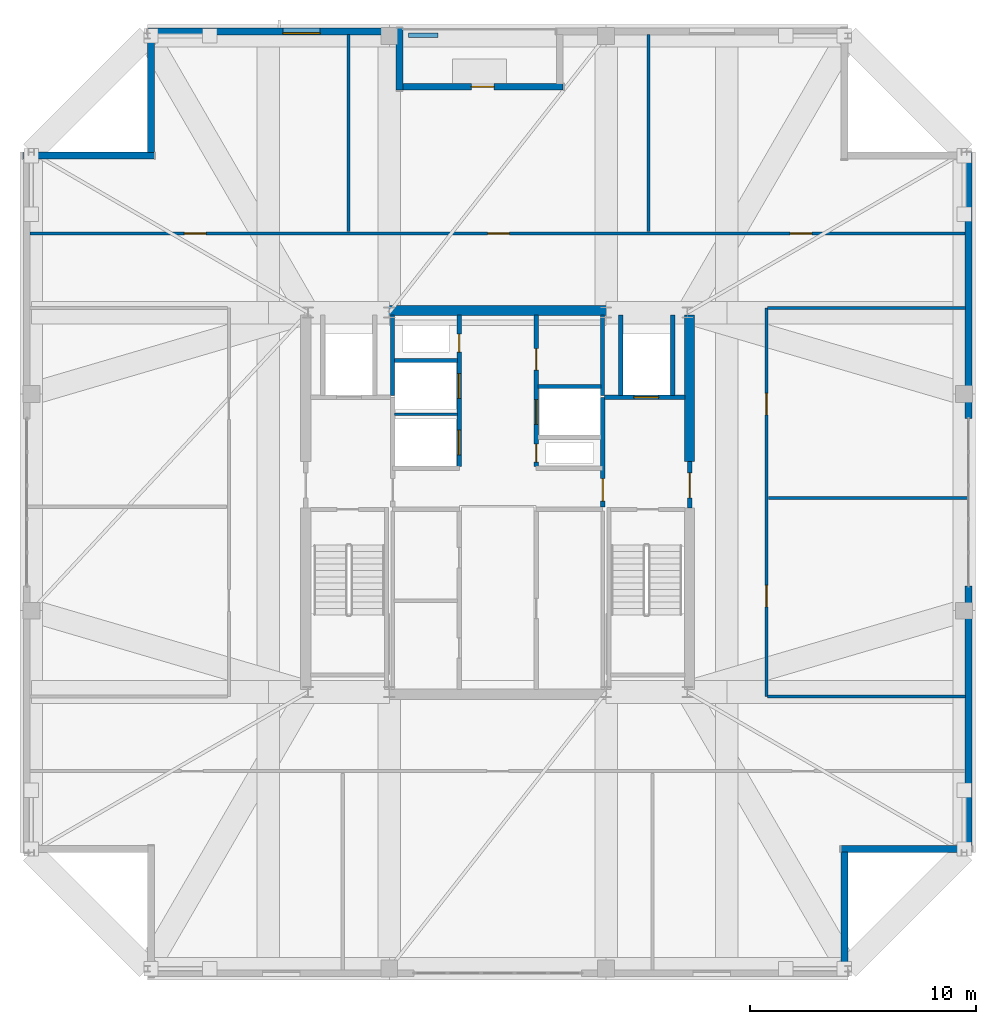
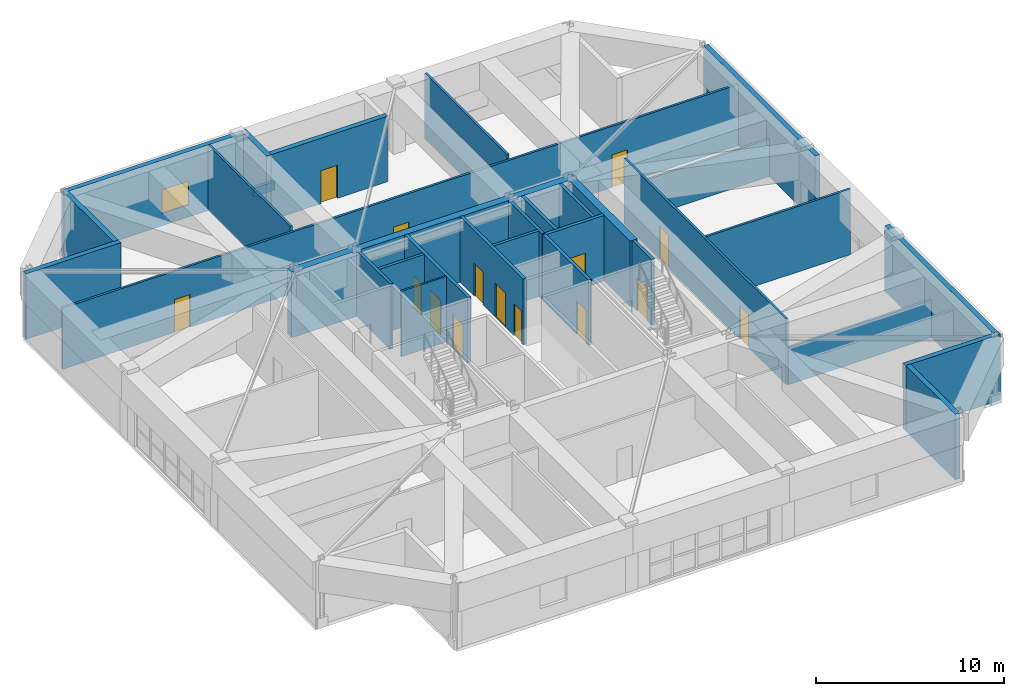
# One storey, part 13 of 17: 31 walls, 15 doors, 1 window, 16 openings.
"""IFC4 building model written with IfcOpenShell, lengths in metres."""

from ifc_helpers import new_model, si_unit, direction, frame, frame_2d, origin, place, context, subcontext, project, spatial, rectangle, extrude, material, layer, layer_set, type_object, element, fill, save


model = new_model("IFC4")

# Units and contexts
model_context = context("Model", 3, precision=1e-05, world=origin(), true_north=direction((0.0, 1.0)))
body_context = subcontext(model_context, "Body", "Model", "MODEL_VIEW")
ifc_project = project(units=[si_unit("LENGTHUNIT", "METRE"), si_unit("AREAUNIT", "SQUARE_METRE"), si_unit("VOLUMEUNIT", "CUBIC_METRE"), si_unit("PLANEANGLEUNIT", "RADIAN"), si_unit("MASSUNIT", "GRAM", prefix="KILO")], contexts=[model_context])

# Site, building, storey
site_placement = place(None, origin())
site = spatial("IfcSite", under=ifc_project, at=site_placement, CompositionType="ELEMENT")
building_placement = place(site_placement, origin())
building = spatial("IfcBuilding", under=site, at=building_placement, Name="Cairnveth Concourse Tower", CompositionType="ELEMENT")
storey_placement = place(building_placement, frame((0.0, 0.0, 320.0)))
storey = spatial("IfcBuildingStorey", under=building, at=storey_placement, Name="L88", CompositionType="ELEMENT", Elevation=320.0)

# Walls
ifc_material_1 = material(Name="Concrete N65 (65 MPa)", Category="concrete")
ifc_layer_1 = layer(ifc_material_1, 0.449951171875)
ifc_layer_set_1 = layer_set([ifc_layer_1], Name="Concrete N65 (65 MPa)")
wall_type_1 = type_object("IfcWallType", Name="CORE SHEAR WALL 450", PredefinedType="SHEAR", material=ifc_layer_set_1)
wall_1_placement = place(storey_placement, frame((43.27490234375, 47.5, 0.0), z_axis=(0.0, 0.0, 1.0), x_axis=(1.0, 0.0, 0.0)))
element("IfcWall", 1, at=wall_1_placement, inside=storey, type_object=wall_type_1, Name="Core North Shear Wall L88", PredefinedType="SHEAR", context=body_context, shape_type="SweptSolid", body=[
    extrude(rectangle(XDim=17.4501953125, YDim=0.449951171875, at=frame_2d((8.72509765625, 0.0))), origin(), (0.0, 0.0, 1.0), 4.25),
])
wall_2_placement = place(storey_placement, frame((60.5, 40.800048828125, 0.0), z_axis=(0.0, 0.0, 1.0), x_axis=(0.0, 1.0, 0.0)))
element("IfcWall", 2, at=wall_2_placement, inside=storey, type_object=wall_type_1, Name="Core East Shear Wall N L88", PredefinedType="SHEAR", context=body_context, shape_type="SweptSolid", body=[
    extrude(rectangle(XDim=6.48486328125, YDim=0.449951171875, at=frame_2d((3.242431640625, 0.0))), origin(), (0.0, 0.0, 1.0), 4.25),
])
ifc_material_2 = material(Name="Concrete N50 (50 MPa)", Category="concrete")
ifc_layer_2 = layer(ifc_material_2, 0.179931640625)
ifc_layer_set_2 = layer_set([ifc_layer_2], Name="Concrete N50 (50 MPa)")
wall_type_2 = type_object("IfcWallType", Name="FIRE SHAFT WALL 180", PredefinedType="SOLIDWALL", material=ifc_layer_set_2)
wall_3_placement = place(storey_placement, frame((47.35009765625, 43.735107421875, 0.0), z_axis=(0.0, 0.0, 1.0), x_axis=(0.0, 1.0, 0.0)))
element("IfcWall", 3, at=wall_3_placement, inside=storey, type_object=wall_type_2, Name="Interior Wall IW-L88-028", PredefinedType="SOLIDWALL", context=body_context, shape_type="SweptSolid", body=[
    extrude(rectangle(XDim=3.554931640625, YDim=0.179931640625, at=frame_2d((1.77734375, 0.0))), origin(), (0.0, 0.0, 1.0), 4.25),
])
wall_4_placement = place(storey_placement, frame((47.425048828125, 45.280029296875, 0.0), z_axis=(0.0, 0.0, 1.0), x_axis=(1.0, 0.0, 0.0)))
element("IfcWall", 4, at=wall_4_placement, inside=storey, type_object=wall_type_2, Name="Interior Wall IW-L88-030", PredefinedType="SOLIDWALL", context=body_context, shape_type="SweptSolid", body=[
    extrude(rectangle(XDim=2.7900390625, YDim=0.179931640625, at=frame_2d((1.39501953125, 0.0))), origin(), (0.0, 0.0, 1.0), 4.25),
])
wall_5_placement = place(storey_placement, frame((56.64990234375, 43.735107421875, 0.0), z_axis=(0.0, 0.0, 1.0), x_axis=(0.0, 1.0, 0.0)))
element("IfcWall", 5, at=wall_5_placement, inside=storey, type_object=wall_type_2, Name="Interior Wall IW-L88-031", PredefinedType="SOLIDWALL", context=body_context, shape_type="SweptSolid", body=[
    extrude(rectangle(XDim=3.554931640625, YDim=0.179931640625, at=frame_2d((1.77734375, 0.0))), origin(), (0.0, 0.0, 1.0), 4.25),
])
wall_6_placement = place(storey_placement, frame((53.784912109375, 44.1201171875, 0.0), z_axis=(0.0, 0.0, 1.0), x_axis=(1.0, 0.0, 0.0)))
element("IfcWall", 6, at=wall_6_placement, inside=storey, type_object=wall_type_2, Name="Interior Wall IW-L88-033", PredefinedType="SOLIDWALL", context=body_context, shape_type="SweptSolid", body=[
    extrude(rectangle(XDim=2.7900390625, YDim=0.179931640625, at=frame_2d((1.39501953125, 0.0))), origin(), (0.0, 0.0, 1.0), 4.25),
])

# Wall, openings, doors
ifc_layer_3 = layer(ifc_material_2, 0.199951171875)
ifc_layer_set_3 = layer_set([ifc_layer_3], Name="Concrete N50 (50 MPa)")
wall_type_3 = type_object("IfcWallType", Name="FIRE SHAFT WALL 200", PredefinedType="SOLIDWALL", material=ifc_layer_set_3)
wall_7_placement = place(storey_placement, frame((50.300048828125, 40.5849609375, 0.0), z_axis=(0.0, 0.0, 1.0), x_axis=(0.0, 1.0, 0.0)))
wall_7 = element("IfcWall", 7, at=wall_7_placement, inside=storey, type_object=wall_type_3, Name="Interior Wall IW-L88-013", PredefinedType="SOLIDWALL", context=body_context, shape_type="SweptSolid", body=[
    extrude(rectangle(XDim=6.705078125, YDim=0.199951171875, at=frame_2d((3.3525390625, 0.0))), origin(), (0.0, 0.0, 1.0), 4.25),
])
opening_1_placement = place(wall_7_placement, frame((0.514892578125, 0.0, 0.0)))
opening_1 = element("IfcOpeningElement", 8, at=opening_1_placement, cuts=wall_7, Name="Opening LD-1", PredefinedType="OPENING", context=body_context, shape_type="SweptSolid", body=[
    extrude(rectangle(XDim=1.10009765625, YDim=2.199951171875, at=frame_2d((0.550048828125, 1.10009765625))), frame((0.0, 0.10986328125, 0.0), z_axis=(0.0, -1.0, 0.0), x_axis=(1.0, 0.0, 0.0)), (0.0, 0.0, 1.0), 0.219970703125),
])
opening_2_placement = place(wall_7_placement, frame((3.014892578125, 0.0, 0.0)))
opening_2 = element("IfcOpeningElement", 9, at=opening_2_placement, cuts=wall_7, Name="Opening LD-1", PredefinedType="OPENING", context=body_context, shape_type="SweptSolid", body=[
    extrude(rectangle(XDim=1.10009765625, YDim=2.199951171875, at=frame_2d((0.550048828125, 1.10009765625))), frame((0.0, 0.10986328125, 0.0), z_axis=(0.0, -1.0, 0.0), x_axis=(1.0, 0.0, 0.0)), (0.0, 0.0, 1.0), 0.219970703125),
])
opening_3_placement = place(wall_7_placement, frame((5.06494140625, 0.0, 0.0)))
opening_3 = element("IfcOpeningElement", 10, at=opening_3_placement, cuts=wall_7, Name="Opening ID24", PredefinedType="OPENING", context=body_context, shape_type="SweptSolid", body=[
    extrude(rectangle(XDim=0.800048828125, YDim=2.080078125, at=frame_2d((0.39990234375, 1.0400390625))), frame((0.0, 0.10986328125, 0.0), z_axis=(0.0, -1.0, 0.0), x_axis=(1.0, 0.0, 0.0)), (0.0, 0.0, 1.0), 0.219970703125),
])
ifc_material_3 = material(Name="Architectural Bronze Anodised Aluminium 6063-T6", Category="aluminium")
door_type_1 = type_object("IfcDoorType", Name="LIFT LANDING DOOR 1100X2200", OperationType="SLIDING_TO_LEFT", PredefinedType="DOOR", material=ifc_material_3)
door_1_placement = place(opening_1_placement, origin())
door_1 = element("IfcDoor", 11, at=door_1_placement, inside=storey, type_object=door_type_1, Name="Lift PL7 Landing Door L88", OperationType="SLIDING_TO_LEFT", OverallHeight=2.199951171875, OverallWidth=1.10009765625, PredefinedType="DOOR", context=body_context, shape_type="SweptSolid", body=[
    extrude(rectangle(XDim=1.10009765625, YDim=2.199951171875, at=frame_2d((0.550048828125, 1.10009765625))), frame((0.0, 0.02490234375, 0.0), z_axis=(0.0, -1.0, 0.0), x_axis=(1.0, 0.0, 0.0)), (0.0, 0.0, 1.0), 0.050048828125),
])
fill(opening_1, door_1)
door_2_placement = place(opening_2_placement, origin())
door_2 = element("IfcDoor", 12, at=door_2_placement, inside=storey, type_object=door_type_1, Name="Lift PL8 Landing Door L88", OperationType="SLIDING_TO_LEFT", OverallHeight=2.199951171875, OverallWidth=1.10009765625, PredefinedType="DOOR", context=body_context, shape_type="SweptSolid", body=[
    extrude(rectangle(XDim=1.10009765625, YDim=2.199951171875, at=frame_2d((0.550048828125, 1.10009765625))), frame((0.0, 0.02490234375, 0.0), z_axis=(0.0, -1.0, 0.0), x_axis=(1.0, 0.0, 0.0)), (0.0, 0.0, 1.0), 0.050048828125),
])
fill(opening_2, door_2)
ifc_material_4 = material(Name="Steel Grade 350", Category="steel")
door_type_2 = type_object("IfcDoorType", Name="RISER ACCESS DOOR 800X2100", OperationType="NOTDEFINED", PredefinedType="DOOR", material=ifc_material_4)
door_3_placement = place(opening_3_placement, origin())
door_3 = element("IfcDoor", 13, at=door_3_placement, inside=storey, type_object=door_type_2, Name="NW Electrical Riser Access Door L88", OperationType="SINGLE_SWING_RIGHT", OverallHeight=2.080078125, OverallWidth=0.800048828125, PredefinedType="DOOR", context=body_context, shape_type="SweptSolid", body=[
    extrude(rectangle(XDim=0.800048828125, YDim=2.080078125, at=frame_2d((0.39990234375, 1.0400390625))), frame((0.0, 0.02490234375, 0.0), z_axis=(0.0, -1.0, 0.0), x_axis=(1.0, 0.0, 0.0)), (0.0, 0.0, 1.0), 0.050048828125),
])
fill(opening_3, door_3)

wall_8_placement = place(storey_placement, frame((53.699951171875, 40.5849609375, 0.0), z_axis=(0.0, 0.0, 1.0), x_axis=(0.0, 1.0, 0.0)))
wall_8 = element("IfcWall", 14, at=wall_8_placement, inside=storey, type_object=wall_type_3, Name="Interior Wall IW-L88-014", PredefinedType="SOLIDWALL", context=body_context, shape_type="SweptSolid", body=[
    extrude(rectangle(XDim=6.705078125, YDim=0.199951171875, at=frame_2d((3.3525390625, 0.0))), origin(), (0.0, 0.0, 1.0), 4.25),
])
opening_4_placement = place(wall_8_placement, frame((0.195068359375, 0.0, 0.0)))
opening_4 = element("IfcOpeningElement", 15, at=opening_4_placement, cuts=wall_8, Name="Opening ID24", PredefinedType="OPENING", context=body_context, shape_type="SweptSolid", body=[
    extrude(rectangle(XDim=0.800048828125, YDim=2.080078125, at=frame_2d((0.39990234375, 1.0400390625))), frame((0.0, 0.10986328125, 0.0), z_axis=(0.0, -1.0, 0.0), x_axis=(1.0, 0.0, 0.0)), (0.0, 0.0, 1.0), 0.219970703125),
])
opening_5_placement = place(wall_8_placement, frame((1.864990234375, 0.0, 0.0)))
opening_5 = element("IfcOpeningElement", 16, at=opening_5_placement, cuts=wall_8, Name="Opening LD-1", PredefinedType="OPENING", context=body_context, shape_type="SweptSolid", body=[
    extrude(rectangle(XDim=1.10009765625, YDim=2.199951171875, at=frame_2d((0.550048828125, 1.10009765625))), frame((0.0, 0.10986328125, 0.0), z_axis=(0.0, -1.0, 0.0), x_axis=(1.0, 0.0, 0.0)), (0.0, 0.0, 1.0), 0.219970703125),
])
opening_6_placement = place(wall_8_placement, frame((4.264892578125, 0.0, 0.0)))
opening_6 = element("IfcOpeningElement", 17, at=opening_6_placement, cuts=wall_8, Name="Opening ID25", PredefinedType="OPENING", context=body_context, shape_type="SweptSolid", body=[
    extrude(rectangle(XDim=0.949951171875, YDim=2.1201171875, at=frame_2d((0.47509765625, 1.06005859375))), frame((0.0, 0.10986328125, 0.0), z_axis=(0.0, -1.0, 0.0), x_axis=(1.0, 0.0, 0.0)), (0.0, 0.0, 1.0), 0.219970703125),
])
door_type_3 = type_object("IfcDoorType", Name="CORE ACCESSIBLE FIRE DOOR 950X2120", OperationType="NOTDEFINED", PredefinedType="DOOR", material=ifc_material_4)
door_4_placement = place(opening_6_placement, origin())
door_4 = element("IfcDoor", 18, at=door_4_placement, inside=storey, type_object=door_type_3, Name="Core NE Accessible WC Door L88", OperationType="SINGLE_SWING_LEFT", OverallHeight=2.1201171875, OverallWidth=0.949951171875, PredefinedType="DOOR", context=body_context, shape_type="SweptSolid", body=[
    extrude(rectangle(XDim=0.949951171875, YDim=2.1201171875, at=frame_2d((0.47509765625, 1.06005859375))), frame((0.0, 0.02490234375, 0.0), z_axis=(0.0, -1.0, 0.0), x_axis=(1.0, 0.0, 0.0)), (0.0, 0.0, 1.0), 0.050048828125),
])
fill(opening_6, door_4)
door_5_placement = place(opening_5_placement, origin())
door_5 = element("IfcDoor", 19, at=door_5_placement, inside=storey, type_object=door_type_1, Name="Lift PL9 Landing Door L88", OperationType="SLIDING_TO_LEFT", OverallHeight=2.199951171875, OverallWidth=1.10009765625, PredefinedType="DOOR", context=body_context, shape_type="SweptSolid", body=[
    extrude(rectangle(XDim=1.10009765625, YDim=2.199951171875, at=frame_2d((0.550048828125, 1.10009765625))), frame((0.0, 0.02490234375, 0.0), z_axis=(0.0, -1.0, 0.0), x_axis=(1.0, 0.0, 0.0)), (0.0, 0.0, 1.0), 0.050048828125),
])
fill(opening_5, door_5)
door_6_placement = place(opening_4_placement, origin())
door_6 = element("IfcDoor", 20, at=door_6_placement, inside=storey, type_object=door_type_2, Name="Hydraulic Riser Door L88", OperationType="SINGLE_SWING_LEFT", OverallHeight=2.080078125, OverallWidth=0.800048828125, PredefinedType="DOOR", context=body_context, shape_type="SweptSolid", body=[
    extrude(rectangle(XDim=0.800048828125, YDim=2.080078125, at=frame_2d((0.39990234375, 1.0400390625))), frame((0.0, 0.02490234375, 0.0), z_axis=(0.0, -1.0, 0.0), x_axis=(1.0, 0.0, 0.0)), (0.0, 0.0, 1.0), 0.050048828125),
])
fill(opening_4, door_6)

# Wall, opening, door
wall_9_placement = place(storey_placement, frame((60.5, 38.75, 0.0), z_axis=(0.0, 0.0, 1.0), x_axis=(0.0, 1.0, 0.0)))
wall_9 = element("IfcWall", 21, at=wall_9_placement, inside=storey, type_object=wall_type_3, Name="Interior Wall IW-L88-020", PredefinedType="SOLIDWALL", context=body_context, shape_type="SweptSolid", body=[
    extrude(rectangle(XDim=2.050048828125, YDim=0.199951171875, at=frame_2d((1.02490234375, 0.0))), origin(), (0.0, 0.0, 1.0), 4.25),
])
opening_7_placement = place(wall_9_placement, frame((0.449951171875, 0.0, 0.0)))
opening_7 = element("IfcOpeningElement", 22, at=opening_7_placement, cuts=wall_9, Name="Opening ID06", PredefinedType="OPENING", context=body_context, shape_type="SweptSolid", body=[
    extrude(rectangle(XDim=1.10009765625, YDim=2.14990234375, at=frame_2d((0.550048828125, 1.074951171875))), frame((0.0, 0.10986328125, 0.0), z_axis=(0.0, -1.0, 0.0), x_axis=(1.0, 0.0, 0.0)), (0.0, 0.0, 1.0), 0.219970703125),
])
door_type_4 = type_object("IfcDoorType", Name="FIRE CORRIDOR DOOR 1100X2150", OperationType="NOTDEFINED", PredefinedType="DOOR", material=ifc_material_4)
door_7_placement = place(opening_7_placement, origin())
door_7 = element("IfcDoor", 23, at=door_7_placement, inside=storey, type_object=door_type_4, Name="East Wing to FF Lobby Door L88", OperationType="SINGLE_SWING_RIGHT", OverallHeight=2.14990234375, OverallWidth=1.10009765625, PredefinedType="DOOR", context=body_context, shape_type="SweptSolid", body=[
    extrude(rectangle(XDim=1.10009765625, YDim=2.14990234375, at=frame_2d((0.550048828125, 1.074951171875))), frame((0.0, 0.02490234375, 0.0), z_axis=(0.0, -1.0, 0.0), x_axis=(1.0, 0.0, 0.0)), (0.0, 0.0, 1.0), 0.050048828125),
])
fill(opening_7, door_7)

wall_10_placement = place(storey_placement, frame((56.64990234375, 38.784912109375, 0.0), z_axis=(0.0, 0.0, 1.0), x_axis=(0.0, 1.0, 0.0)))
wall_10 = element("IfcWall", 24, at=wall_10_placement, inside=storey, type_object=wall_type_3, Name="Interior Wall IW-L88-021", PredefinedType="SOLIDWALL", context=body_context, shape_type="SweptSolid", body=[
    extrude(rectangle(XDim=4.864990234375, YDim=0.199951171875, at=frame_2d((2.4326171875, 0.0))), origin(), (0.0, 0.0, 1.0), 4.25),
])
opening_8_placement = place(wall_10_placement, frame((0.264892578125, 0.0, 0.0)))
opening_8 = element("IfcOpeningElement", 25, at=opening_8_placement, cuts=wall_10, Name="Opening ID07", PredefinedType="OPENING", context=body_context, shape_type="SweptSolid", body=[
    extrude(rectangle(XDim=1.0, YDim=2.14990234375, at=frame_2d((0.5, 1.074951171875))), frame((0.0, 0.10986328125, 0.0), z_axis=(0.0, -1.0, 0.0), x_axis=(1.0, 0.0, 0.0)), (0.0, 0.0, 1.0), 0.219970703125),
])
door_type_5 = type_object("IfcDoorType", Name="FIRE CORRIDOR DOOR 1000X2150", OperationType="NOTDEFINED", PredefinedType="DOOR", material=ifc_material_4)
door_8_placement = place(opening_8_placement, origin())
door_8 = element("IfcDoor", 26, at=door_8_placement, inside=storey, type_object=door_type_5, Name="FF Lobby East to Lift Lobby Door L88", OperationType="SINGLE_SWING_LEFT", OverallHeight=2.14990234375, OverallWidth=1.0, PredefinedType="DOOR", context=body_context, shape_type="SweptSolid", body=[
    extrude(rectangle(XDim=1.0, YDim=2.14990234375, at=frame_2d((0.5, 1.074951171875))), frame((0.0, 0.02490234375, 0.0), z_axis=(0.0, -1.0, 0.0), x_axis=(1.0, 0.0, 0.0)), (0.0, 0.0, 1.0), 0.050048828125),
])
fill(opening_8, door_8)

wall_11_placement = place(storey_placement, frame((56.735107421875, 43.64990234375, 0.0), z_axis=(0.0, 0.0, 1.0), x_axis=(1.0, 0.0, 0.0)))
wall_11 = element("IfcWall", 27, at=wall_11_placement, inside=storey, type_object=wall_type_3, Name="Interior Wall IW-L88-022", PredefinedType="SOLIDWALL", context=body_context, shape_type="SweptSolid", body=[
    extrude(rectangle(XDim=3.554931640625, YDim=0.199951171875, at=frame_2d((1.77734375, 0.0))), origin(), (0.0, 0.0, 1.0), 4.25),
])
opening_9_placement = place(wall_11_placement, frame((1.294921875, 0.0, 0.0)))
opening_9 = element("IfcOpeningElement", 28, at=opening_9_placement, cuts=wall_11, Name="Opening LD-1", PredefinedType="OPENING", context=body_context, shape_type="SweptSolid", body=[
    extrude(rectangle(XDim=1.10009765625, YDim=2.199951171875, at=frame_2d((0.550048828125, 1.10009765625))), frame((0.0, 0.10986328125, 0.0), z_axis=(0.0, -1.0, 0.0), x_axis=(1.0, 0.0, 0.0)), (0.0, 0.0, 1.0), 0.219970703125),
])
door_9_placement = place(opening_9_placement, origin())
door_9 = element("IfcDoor", 29, at=door_9_placement, inside=storey, type_object=door_type_1, Name="Lift FFL2 Landing Door L88", OperationType="SLIDING_TO_LEFT", OverallHeight=2.199951171875, OverallWidth=1.10009765625, PredefinedType="DOOR", context=body_context, shape_type="SweptSolid", body=[
    extrude(rectangle(XDim=1.10009765625, YDim=2.199951171875, at=frame_2d((0.550048828125, 1.10009765625))), frame((0.0, 0.02490234375, 0.0), z_axis=(0.0, -1.0, 0.0), x_axis=(1.0, 0.0, 0.0)), (0.0, 0.0, 1.0), 0.050048828125),
])
fill(opening_9, door_9)

# Walls
for number, where, z_axis, x_axis, name in (
    (30, (57.449951171875, 43.735107421875, 0.0), (0.0, 0.0, 1.0), (0.0, 1.0, 0.0), "Interior Wall IW-L88-023"),
    (31, (59.75, 43.735107421875, 0.0), (0.0, 0.0, 1.0), (0.0, 1.0, 0.0), "Interior Wall IW-L88-024"),
):
    element("IfcWall", number, at=place(storey_placement, frame(where, z_axis=z_axis, x_axis=x_axis)), inside=storey, type_object=wall_type_3, Name=name, PredefinedType="SOLIDWALL", context=body_context, shape_type="SweptSolid", body=[
        extrude(rectangle(XDim=3.554931640625, YDim=0.199951171875, at=frame_2d((1.77734375, 0.0))), origin(), (0.0, 0.0, 1.0), 4.25),
    ])

# Wall, openings, doors
ifc_material_5 = material(Name="Gypsum Plasterboard Partition", Category="gypsum")
ifc_layer_4 = layer(ifc_material_5, 0.139892578125)
ifc_layer_set_4 = layer_set([ifc_layer_4], Name="Gypsum Plasterboard Partition")
wall_type_4 = type_object("IfcWallType", Name="GYPSUM STUD PARTITION 140", PredefinedType="PARTITIONING", material=ifc_layer_set_4)
wall_12_placement = place(storey_placement, frame((31.284912109375, 50.89990234375, 0.0), z_axis=(0.0, 0.0, 1.0), x_axis=(1.0, 0.0, 0.0)))
wall_12 = element("IfcWall", 32, at=wall_12_placement, inside=storey, type_object=wall_type_4, Name="Interior Wall IW-L88-035", PredefinedType="PARTITIONING", context=body_context, shape_type="SweptSolid", body=[
    extrude(rectangle(XDim=41.43017578125, YDim=0.139892578125, at=frame_2d((20.715087890625, 0.0))), origin(), (0.0, 0.0, 1.0), 3.968994140625),
])
opening_10_placement = place(wall_12_placement, frame((6.844970703125, 0.0, 0.0)))
opening_10 = element("IfcOpeningElement", 33, at=opening_10_placement, cuts=wall_12, Name="Opening ID11", PredefinedType="OPENING", context=body_context, shape_type="SweptSolid", body=[
    extrude(rectangle(XDim=0.9599609375, YDim=2.1201171875, at=frame_2d((0.47998046875, 1.06005859375))), frame((0.0, 0.079833984375, 0.0), z_axis=(0.0, -1.0, 0.0), x_axis=(1.0, 0.0, 0.0)), (0.0, 0.0, 1.0), 0.159912109375),
])
opening_11_placement = place(wall_12_placement, frame((20.27490234375, 0.0, 0.0)))
opening_11 = element("IfcOpeningElement", 34, at=opening_11_placement, cuts=wall_12, Name="Opening ID11", PredefinedType="OPENING", context=body_context, shape_type="SweptSolid", body=[
    extrude(rectangle(XDim=0.9599609375, YDim=2.1201171875, at=frame_2d((0.47998046875, 1.06005859375))), frame((0.0, 0.079833984375, 0.0), z_axis=(0.0, -1.0, 0.0), x_axis=(1.0, 0.0, 0.0)), (0.0, 0.0, 1.0), 0.159912109375),
])
opening_12_placement = place(wall_12_placement, frame((33.6650390625, 0.0, 0.0)))
opening_12 = element("IfcOpeningElement", 35, at=opening_12_placement, cuts=wall_12, Name="Opening ID11", PredefinedType="OPENING", context=body_context, shape_type="SweptSolid", body=[
    extrude(rectangle(XDim=0.9599609375, YDim=2.1201171875, at=frame_2d((0.47998046875, 1.06005859375))), frame((0.0, 0.079833984375, 0.0), z_axis=(0.0, -1.0, 0.0), x_axis=(1.0, 0.0, 0.0)), (0.0, 0.0, 1.0), 0.159912109375),
])
ifc_material_6 = material(Name="Solid Core Hardwood Timber Leaf", Category="wood")
door_type_6 = type_object("IfcDoorType", Name="INTERIOR SINGLE DOOR 960X2150", OperationType="NOTDEFINED", PredefinedType="DOOR", material=ifc_material_6)
door_10_placement = place(opening_10_placement, origin())
door_10 = element("IfcDoor", 36, at=door_10_placement, inside=storey, type_object=door_type_6, Name="Office Door L88-N1", OperationType="SINGLE_SWING_LEFT", OverallHeight=2.1201171875, OverallWidth=0.9599609375, PredefinedType="DOOR", context=body_context, shape_type="SweptSolid", body=[
    extrude(rectangle(XDim=0.9599609375, YDim=2.1201171875, at=frame_2d((0.47998046875, 1.06005859375))), frame((0.0, 0.02490234375, 0.0), z_axis=(0.0, -1.0, 0.0), x_axis=(1.0, 0.0, 0.0)), (0.0, 0.0, 1.0), 0.050048828125),
])
fill(opening_10, door_10)
door_11_placement = place(opening_11_placement, origin())
door_11 = element("IfcDoor", 37, at=door_11_placement, inside=storey, type_object=door_type_6, Name="Office Door L88-N2", OperationType="SINGLE_SWING_RIGHT", OverallHeight=2.1201171875, OverallWidth=0.9599609375, PredefinedType="DOOR", context=body_context, shape_type="SweptSolid", body=[
    extrude(rectangle(XDim=0.9599609375, YDim=2.1201171875, at=frame_2d((0.47998046875, 1.06005859375))), frame((0.0, 0.02490234375, 0.0), z_axis=(0.0, -1.0, 0.0), x_axis=(1.0, 0.0, 0.0)), (0.0, 0.0, 1.0), 0.050048828125),
])
fill(opening_11, door_11)
door_12_placement = place(opening_12_placement, origin())
door_12 = element("IfcDoor", 38, at=door_12_placement, inside=storey, type_object=door_type_6, Name="Office Door L88-N3", OperationType="SINGLE_SWING_LEFT", OverallHeight=2.1201171875, OverallWidth=0.9599609375, PredefinedType="DOOR", context=body_context, shape_type="SweptSolid", body=[
    extrude(rectangle(XDim=0.9599609375, YDim=2.1201171875, at=frame_2d((0.47998046875, 1.06005859375))), frame((0.0, 0.02490234375, 0.0), z_axis=(0.0, -1.0, 0.0), x_axis=(1.0, 0.0, 0.0)), (0.0, 0.0, 1.0), 0.050048828125),
])
fill(opening_12, door_12)

wall_13_placement = place(storey_placement, frame((63.89990234375, 30.39990234375, 0.0), z_axis=(0.0, 0.0, 1.0), x_axis=(0.0, 1.0, 0.0)))
wall_13 = element("IfcWall", 39, at=wall_13_placement, inside=storey, type_object=wall_type_4, Name="Interior Wall IW-L88-037", PredefinedType="PARTITIONING", context=body_context, shape_type="SweptSolid", body=[
    extrude(rectangle(XDim=17.2001953125, YDim=0.139892578125, at=frame_2d((8.60009765625, 0.0))), origin(), (0.0, 0.0, 1.0), 4.25),
])
opening_13_placement = place(wall_13_placement, frame((3.967529296875, 0.0, 0.0)))
opening_13 = element("IfcOpeningElement", 40, at=opening_13_placement, cuts=wall_13, Name="Opening ID11", PredefinedType="OPENING", context=body_context, shape_type="SweptSolid", body=[
    extrude(rectangle(XDim=0.9599609375, YDim=2.1201171875, at=frame_2d((0.47998046875, 1.06005859375))), frame((0.0, 0.079833984375, 0.0), z_axis=(0.0, -1.0, 0.0), x_axis=(1.0, 0.0, 0.0)), (0.0, 0.0, 1.0), 0.159912109375),
])
opening_14_placement = place(wall_13_placement, frame((12.467529296875, 0.0, 0.0)))
opening_14 = element("IfcOpeningElement", 41, at=opening_14_placement, cuts=wall_13, Name="Opening ID11", PredefinedType="OPENING", context=body_context, shape_type="SweptSolid", body=[
    extrude(rectangle(XDim=0.9599609375, YDim=2.1201171875, at=frame_2d((0.47998046875, 1.06005859375))), frame((0.0, 0.079833984375, 0.0), z_axis=(0.0, -1.0, 0.0), x_axis=(1.0, 0.0, 0.0)), (0.0, 0.0, 1.0), 0.159912109375),
])
door_13_placement = place(opening_13_placement, origin())
door_13 = element("IfcDoor", 42, at=door_13_placement, inside=storey, type_object=door_type_6, Name="Office Door L88-E1", OperationType="SINGLE_SWING_RIGHT", OverallHeight=2.1201171875, OverallWidth=0.9599609375, PredefinedType="DOOR", context=body_context, shape_type="SweptSolid", body=[
    extrude(rectangle(XDim=0.9599609375, YDim=2.1201171875, at=frame_2d((0.47998046875, 1.06005859375))), frame((0.0, 0.02490234375, 0.0), z_axis=(0.0, -1.0, 0.0), x_axis=(1.0, 0.0, 0.0)), (0.0, 0.0, 1.0), 0.050048828125),
])
fill(opening_13, door_13)
door_14_placement = place(opening_14_placement, origin())
door_14 = element("IfcDoor", 43, at=door_14_placement, inside=storey, type_object=door_type_6, Name="Office Door L88-E2", OperationType="SINGLE_SWING_LEFT", OverallHeight=2.1201171875, OverallWidth=0.9599609375, PredefinedType="DOOR", context=body_context, shape_type="SweptSolid", body=[
    extrude(rectangle(XDim=0.9599609375, YDim=2.1201171875, at=frame_2d((0.47998046875, 1.06005859375))), frame((0.0, 0.02490234375, 0.0), z_axis=(0.0, -1.0, 0.0), x_axis=(1.0, 0.0, 0.0)), (0.0, 0.0, 1.0), 0.050048828125),
])
fill(opening_14, door_14)

# Walls
for number, where, z_axis, x_axis, name in (
    (44, (63.955078125, 30.39990234375, 0.0), (0.0, 0.0, 1.0), (1.0, 0.0, 0.0), "Interior Wall IW-L88-040"),
    (45, (63.955078125, 47.60009765625, 0.0), (0.0, 0.0, 1.0), (1.0, 0.0, 0.0), "Interior Wall IW-L88-041"),
):
    element("IfcWall", number, at=place(storey_placement, frame(where, z_axis=z_axis, x_axis=x_axis)), inside=storey, type_object=wall_type_4, Name=name, PredefinedType="PARTITIONING", context=body_context, shape_type="SweptSolid", body=[
        extrude(rectangle(XDim=8.760009765625, YDim=0.139892578125, at=frame_2d((4.3798828125, 0.0))), origin(), (0.0, 0.0, 1.0), 2.425048828125),
    ])
for number, where, z_axis, x_axis, name in (
    (46, (45.39990234375, 51.0, 0.0), (0.0, 0.0, 1.0), (0.0, 1.0, 0.0), "Interior Wall IW-L88-044"),
    (47, (58.679931640625, 51.0, 0.0), (0.0, 0.0, 1.0), (0.0, 1.0, 0.0), "Interior Wall IW-L88-045"),
):
    element("IfcWall", number, at=place(storey_placement, frame(where, z_axis=z_axis, x_axis=x_axis)), inside=storey, type_object=wall_type_4, Name=name, PredefinedType="PARTITIONING", context=body_context, shape_type="SweptSolid", body=[
        extrude(rectangle(XDim=8.715087890625, YDim=0.139892578125, at=frame_2d((4.357421875, 0.0))), origin(), (0.0, 0.0, 1.0), 4.25),
    ])
wall_14_placement = place(storey_placement, frame((64.0, 39.195068359375, 0.0), z_axis=(0.0, 0.0, 1.0), x_axis=(1.0, 0.0, 0.0)))
element("IfcWall", 48, at=wall_14_placement, inside=storey, type_object=wall_type_4, Name="Interior Wall IW-L88-047", PredefinedType="PARTITIONING", context=body_context, shape_type="SweptSolid", body=[
    extrude(rectangle(XDim=8.830078125, YDim=0.139892578125, at=frame_2d((4.4150390625, 0.0))), origin(), (0.0, 0.0, 1.0), 4.25),
])
ifc_layer_5 = layer(ifc_material_5, 0.110107421875)
ifc_layer_set_5 = layer_set([ifc_layer_5], Name="Gypsum Plasterboard Partition")
wall_type_5 = type_object("IfcWallType", Name="SHAFT DIVIDER WALL 140", PredefinedType="PARTITIONING", material=ifc_layer_set_5)
wall_15_placement = place(storey_placement, frame((47.43505859375, 42.89990234375, 0.0), z_axis=(0.0, 0.0, 1.0), x_axis=(1.0, 0.0, 0.0)))
element("IfcWall", 49, at=wall_15_placement, inside=storey, type_object=wall_type_5, Name="Interior Wall IW-L88-029", PredefinedType="PARTITIONING", context=body_context, shape_type="SweptSolid", body=[
    extrude(rectangle(XDim=2.780029296875, YDim=0.110107421875, at=frame_2d((1.39013671875, 0.0))), origin(), (0.0, 0.0, 1.0), 4.25),
])
ifc_material_7 = material(Name="Dressed Melbourne Bluestone Cladding", Category="masonry")
ifc_layer_6 = layer(ifc_material_7, 0.219970703125)
ifc_layer_set_6 = layer_set([ifc_layer_6], Name="Dressed Melbourne Bluestone Cladding")
wall_type_6 = type_object("IfcWallType", Name="TERRACE PLANTER CURB WALL 220", PredefinedType="PARAPET", material=ifc_layer_set_6)
wall_16_placement = place(storey_placement, frame((48.050048828125, 59.679931640625, 0.0), z_axis=(0.0, 0.0, 1.0), x_axis=(1.0, 0.0, 0.0)))
element("IfcWall", 50, at=wall_16_placement, inside=storey, type_object=wall_type_6, Name="Exterior Wall PLNT-L88-TERR", PredefinedType="PARAPET", context=body_context, shape_type="SweptSolid", body=[
    extrude(rectangle(XDim=1.300048828125, YDim=0.219970703125, at=frame_2d((0.64990234375, 0.0))), origin(), (0.0, 0.0, 1.0), 0.550048828125),
])
ifc_material_8 = material(Name="Hawthorn Red-Ochre Fired Clay Brick Masonry", Category="masonry")
ifc_layer_7 = layer(ifc_material_8, 0.300048828125)
ifc_layer_set_7 = layer_set([ifc_layer_7], Name="Hawthorn Red-Ochre Fired Clay Brick Masonry")
wall_type_7 = type_object("IfcWallType", Name="ZONE 4 BRICK PIER SPANDREL WALL 300", PredefinedType="SOLIDWALL", material=ifc_layer_set_7)
wall_17_placement = place(storey_placement, frame((72.85009765625, 54.5, 0.0), z_axis=(0.0, 0.0, 1.0), x_axis=(0.0, -1.0, 0.0)))
element("IfcWall", 51, at=wall_17_placement, inside=storey, type_object=wall_type_7, Name="Exterior Wall EW-L88-S3A", PredefinedType="SOLIDWALL", context=body_context, shape_type="SweptSolid", body=[
    extrude(rectangle(XDim=11.800048828125, YDim=0.300048828125, at=frame_2d((5.89990234375, 0.0))), origin(), (0.0, 0.0, 1.0), 4.25),
])
wall_18_placement = place(storey_placement, frame((72.85009765625, 35.300048828125, 0.0), z_axis=(0.0, 0.0, 1.0), x_axis=(0.0, -1.0, 0.0)))
element("IfcWall", 52, at=wall_18_placement, inside=storey, type_object=wall_type_7, Name="Exterior Wall EW-L88-S3B", PredefinedType="SOLIDWALL", context=body_context, shape_type="SweptSolid", body=[
    extrude(rectangle(XDim=11.52197265625, YDim=0.300048828125, at=frame_2d((5.760986328125, 0.0))), origin(), (0.0, 0.0, 1.0), 4.25),
])
wall_19_placement = place(storey_placement, frame((73.0, 23.64990234375, 0.0), z_axis=(0.0, 0.0, 1.0), x_axis=(-1.0, 0.0, 0.0)))
element("IfcWall", 53, at=wall_19_placement, inside=storey, type_object=wall_type_7, Name="Exterior Wall EW-L88-S04", PredefinedType="SOLIDWALL", context=body_context, shape_type="SweptSolid", body=[
    extrude(rectangle(XDim=5.800048828125, YDim=0.300048828125, at=frame_2d((2.89990234375, 0.0))), origin(), (0.0, 0.0, 1.0), 4.25),
])
wall_20_placement = place(storey_placement, frame((67.35009765625, 23.52197265625, 0.0), z_axis=(0.0, 0.0, 1.0), x_axis=(0.0, -1.0, 0.0)))
element("IfcWall", 54, at=wall_20_placement, inside=storey, type_object=wall_type_7, Name="Exterior Wall EW-L88-S05", PredefinedType="SOLIDWALL", context=body_context, shape_type="SweptSolid", body=[
    extrude(rectangle(XDim=5.243896484375, YDim=0.300048828125, at=frame_2d((2.6220703125, 0.0))), origin(), (0.0, 0.0, 1.0), 4.25),
])
wall_21_placement = place(storey_placement, frame((31.0, 54.35009765625, 0.0), z_axis=(0.0, 0.0, 1.0), x_axis=(1.0, 0.0, 0.0)))
element("IfcWall", 55, at=wall_21_placement, inside=storey, type_object=wall_type_7, Name="Exterior Wall EW-L88-S10", PredefinedType="SOLIDWALL", context=body_context, shape_type="SweptSolid", body=[
    extrude(rectangle(XDim=5.800048828125, YDim=0.300048828125, at=frame_2d((2.89990234375, 0.0))), origin(), (0.0, 0.0, 1.0), 4.25),
])
wall_22_placement = place(storey_placement, frame((36.64990234375, 54.47802734375, 0.0), z_axis=(0.0, 0.0, 1.0), x_axis=(0.0, 1.0, 0.0)))
element("IfcWall", 56, at=wall_22_placement, inside=storey, type_object=wall_type_7, Name="Exterior Wall EW-L88-S11", PredefinedType="SOLIDWALL", context=body_context, shape_type="SweptSolid", body=[
    extrude(rectangle(XDim=5.243896484375, YDim=0.300048828125, at=frame_2d((2.6220703125, 0.0))), origin(), (0.0, 0.0, 1.0), 4.25),
])

# Wall, opening, window
wall_23_placement = place(storey_placement, frame((36.5, 59.85009765625, 0.0), z_axis=(0.0, 0.0, 1.0), x_axis=(1.0, 0.0, 0.0)))
wall_23 = element("IfcWall", 57, at=wall_23_placement, inside=storey, type_object=wall_type_7, Name="Exterior Wall EW-L88-S12", PredefinedType="SOLIDWALL", context=body_context, shape_type="SweptSolid", body=[
    extrude(rectangle(XDim=11.02197265625, YDim=0.300048828125, at=frame_2d((5.510986328125, 0.0))), origin(), (0.0, 0.0, 1.0), 4.25),
])
opening_15_placement = place(wall_23_placement, frame((5.986083984375, 0.0, 0.800048828125)))
opening_15 = element("IfcOpeningElement", 58, at=opening_15_placement, cuts=wall_23, Name="Opening W04", PredefinedType="OPENING", context=body_context, shape_type="SweptSolid", body=[
    extrude(rectangle(XDim=1.64990234375, YDim=1.530029296875, at=frame_2d((0.824951171875, 0.76513671875))), frame((0.0, 0.159912109375, 0.0), z_axis=(0.0, -1.0, 0.0), x_axis=(1.0, 0.0, 0.0)), (0.0, 0.0, 1.0), 0.320068359375),
])
ifc_material_9 = material(Name="Double Glazed Low-E Clear Glass", Category="glass")
window_type = type_object("IfcWindowType", Name="DEEP-SET GOTHIC LANCET WINDOW 1650X1850", PartitioningType="DOUBLE_PANEL_VERTICAL", PredefinedType="WINDOW", material=ifc_material_9)
window_placement = place(opening_15_placement, origin())
window = element("IfcWindow", 59, at=window_placement, inside=storey, type_object=window_type, Name="Gothic Lancet Window L88-12-1", OverallHeight=1.530029296875, OverallWidth=1.64990234375, PartitioningType="SINGLE_PANEL", PredefinedType="WINDOW", context=body_context, shape_type="SweptSolid", body=[
    extrude(rectangle(XDim=1.64990234375, YDim=1.530029296875, at=frame_2d((0.824951171875, 0.76513671875))), frame((0.0, -0.050048828125, 0.0), z_axis=(0.0, -1.0, 0.0), x_axis=(1.0, 0.0, 0.0)), (0.0, 0.0, 1.0), 0.06005859375),
])
fill(opening_15, window)

# Wall
wall_24_placement = place(storey_placement, frame((47.64990234375, 60.0, 0.0), z_axis=(0.0, 0.0, 1.0), x_axis=(0.0, -1.0, 0.0)))
element("IfcWall", 60, at=wall_24_placement, inside=storey, type_object=wall_type_7, Name="Exterior Wall EW-L88-S13", PredefinedType="SOLIDWALL", context=body_context, shape_type="SweptSolid", body=[
    extrude(rectangle(XDim=2.75, YDim=0.300048828125, at=frame_2d((1.375, 0.0))), origin(), (0.0, 0.0, 1.0), 4.25),
])

# Wall, opening, door
wall_25_placement = place(storey_placement, frame((47.778076171875, 57.39990234375, 0.0), z_axis=(0.0, 0.0, 1.0), x_axis=(1.0, 0.0, 0.0)))
wall_25 = element("IfcWall", 61, at=wall_25_placement, inside=storey, type_object=wall_type_7, Name="Exterior Wall EW-L88-S14", PredefinedType="SOLIDWALL", context=body_context, shape_type="SweptSolid", body=[
    extrude(rectangle(XDim=7.121826171875, YDim=0.300048828125, at=frame_2d((3.56103515625, 0.0))), origin(), (0.0, 0.0, 1.0), 4.25),
])
opening_16_placement = place(wall_25_placement, frame((3.06103515625, 0.0, 0.0)))
opening_16 = element("IfcOpeningElement", 62, at=opening_16_placement, cuts=wall_25, Name="Opening ED4", PredefinedType="OPENING", context=body_context, shape_type="SweptSolid", body=[
    extrude(rectangle(XDim=1.0, YDim=2.14990234375, at=frame_2d((0.5, 1.074951171875))), frame((0.0, 0.159912109375, 0.0), z_axis=(0.0, -1.0, 0.0), x_axis=(1.0, 0.0, 0.0)), (0.0, 0.0, 1.0), 0.320068359375),
])
door_type_7 = type_object("IfcDoorType", Name="TERRACE GLAZED DOOR 1000X2150", OperationType="NOTDEFINED", PredefinedType="DOOR", material=ifc_material_3)
door_15_placement = place(opening_16_placement, origin())
door_15 = element("IfcDoor", 63, at=door_15_placement, inside=storey, type_object=door_type_7, Name="Spiral Terrace Door L88", OperationType="SINGLE_SWING_LEFT", OverallHeight=2.14990234375, OverallWidth=1.0, PredefinedType="DOOR", context=body_context, shape_type="SweptSolid", body=[
    extrude(rectangle(XDim=1.0, YDim=2.14990234375, at=frame_2d((0.5, 1.074951171875))), frame((0.0, 0.02490234375, 0.0), z_axis=(0.0, -1.0, 0.0), x_axis=(1.0, 0.0, 0.0)), (0.0, 0.0, 1.0), 0.050048828125),
])
fill(opening_16, door_15)

save(model, "model.ifc")
